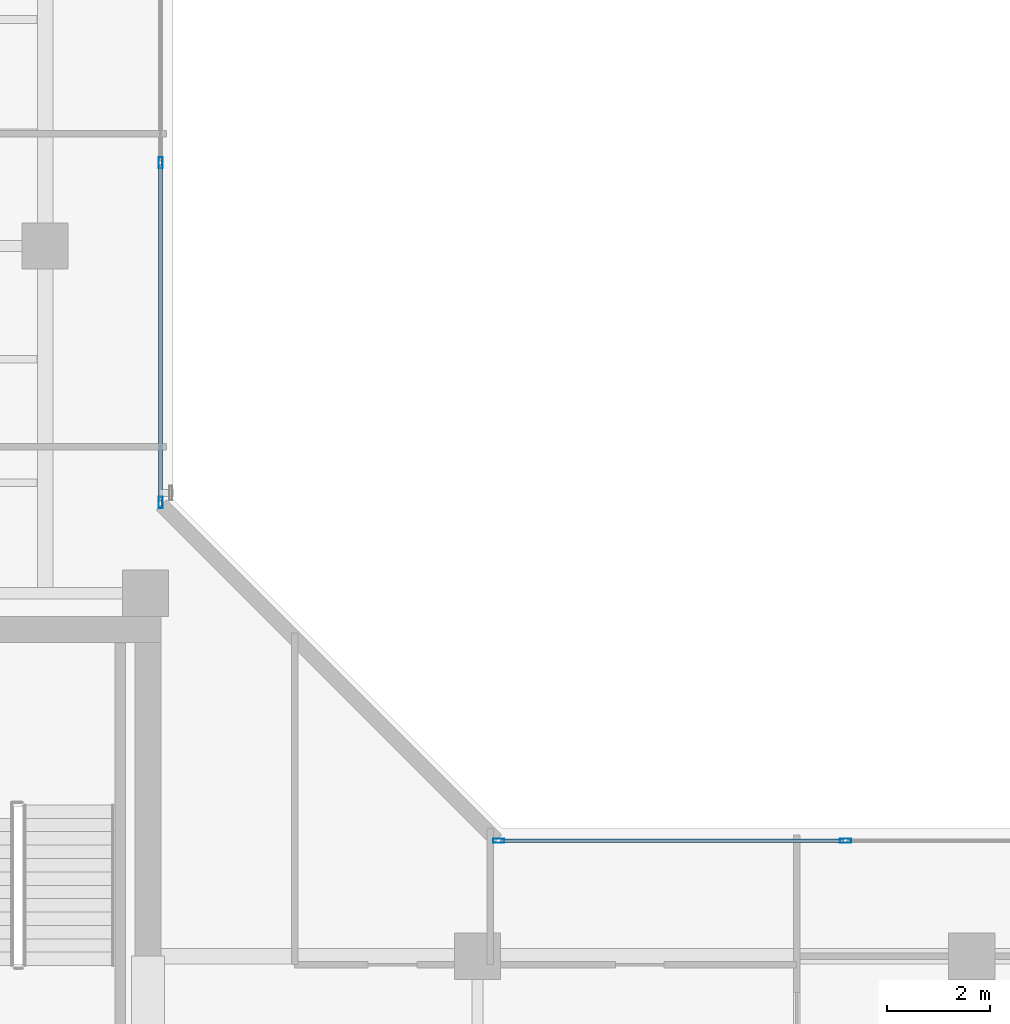
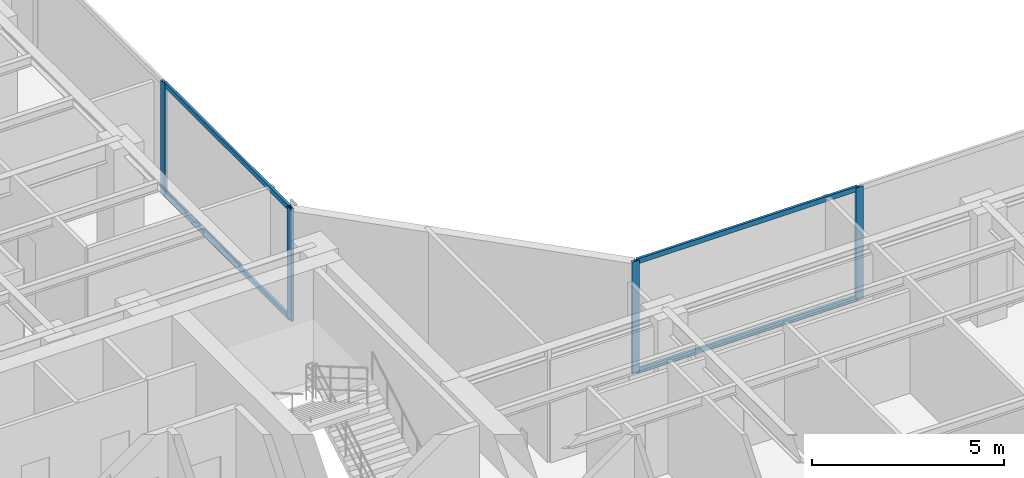
# One storey, part 9 of 23: 8 members, 2 elements without a shape of their own.
"""IFC4 building model written with IfcOpenShell, lengths in metres."""

from ifc_helpers import new_model, si_unit, direction, frame, origin, origin_with_axes, origin_2d, place, context, subcontext, project, spatial, hollow_rectangle, extrude, source, transform, mapped, material, layer, layer_set, material_profile, profile_set, type_object, element, aggregate, save


model = new_model("IFC4")

# Units and contexts
model_context = context("Model", 3, precision=1e-05, world=origin(), true_north=direction((0.0, 1.0)))
body_context = subcontext(model_context, "Body", "Model", "MODEL_VIEW")
ifc_project = project(units=[si_unit("LENGTHUNIT", "METRE"), si_unit("AREAUNIT", "SQUARE_METRE"), si_unit("VOLUMEUNIT", "CUBIC_METRE"), si_unit("PLANEANGLEUNIT", "RADIAN"), si_unit("MASSUNIT", "GRAM", prefix="KILO")], contexts=[model_context])

# Site, building, storey
site_placement = place(None, origin())
site = spatial("IfcSite", under=ifc_project, at=site_placement, CompositionType="ELEMENT")
building_placement = place(site_placement, origin())
building = spatial("IfcBuilding", under=site, at=building_placement, Name="Kolvaren Waterfront Exchange", CompositionType="ELEMENT")
storey_placement = place(building_placement, frame((0.0, 0.0, 304.60009765625)))
storey = spatial("IfcBuildingStorey", under=building, at=storey_placement, Name="L78", CompositionType="ELEMENT", Elevation=304.60009765625)

# Curtain wall, members
ifc_material_1 = material(Name="Anodised bronze aluminium 6063-T6", Category="aluminium")
ifc_layer = layer(ifc_material_1, 0.219970703125, Name="Anodised bronze aluminium 6063-T6")
ifc_layer_set = layer_set([ifc_layer], Name="Anodised bronze aluminium 6063-T6")
curtain_wall_type = type_object("IfcCurtainWallType", Name="ARC-CW-SYS1", PredefinedType="USERDEFINED", material=ifc_layer_set)
curtain_wall_1_placement = place(storey_placement, origin())
curtain_wall_1 = element("IfcCurtainWall", 1, at=curtain_wall_1_placement, inside=storey, type_object=curtain_wall_type, Name="L78 stick curtain wall CW1 (CW-L78-NE)", ObjectType="STICK CURTAIN WALL", PredefinedType="USERDEFINED")
ifc_material_2 = material(Name="Anodised aluminium 6063-T6", Category="aluminium")
ifc_material_profile_1 = material_profile(ifc_material_2, hollow_rectangle(XDim=0.080078125, YDim=0.219970703125, WallThickness=0.0048828125, at=origin_2d()), Name="ALU-MUL-220x80x5")
ifc_profile_set_1 = profile_set([ifc_material_profile_1], Name="Anodised aluminium 6063-T6")
member_type_1 = type_object("IfcMemberType", Name="ARC-CWM-220", PredefinedType="MULLION", material=ifc_profile_set_1)
shared_shape_1 = source(origin_with_axes(), body_context, "Body", "SweptSolid", [
    extrude(hollow_rectangle(XDim=0.080078125, YDim=0.219970703125, WallThickness=0.0048828125, at=origin_2d()), origin(), (0.0, 0.0, 1.0), 3.559814453125),
])
member_1_placement = place(storey_placement, frame((21.044189453125, 26.214111328125, 0.0), z_axis=(0.0, 0.0, 1.0), x_axis=(-1.0, 0.0, 0.0)))
member_1 = element("IfcMember", 2, at=member_1_placement, type_object=member_type_1, Name="CW1 mullion 1", PredefinedType="MULLION", context=body_context, shape_type="MappedRepresentation", body=[
    mapped(shared_shape_1, transform((0.0, 0.0, 0.0), x_axis=(1.0, 0.0, 0.0), y_axis=(0.0, 1.0, 0.0), z_axis=(0.0, 0.0, 1.0), scale=1.0)),
])
member_2_placement = place(storey_placement, frame((21.044189453125, 32.814453125, 0.0), z_axis=(0.0, 0.0, 1.0), x_axis=(-1.0, 0.0, 0.0)))
member_2 = element("IfcMember", 3, at=member_2_placement, type_object=member_type_1, Name="CW1 mullion 2", PredefinedType="MULLION", context=body_context, shape_type="MappedRepresentation", body=[
    mapped(shared_shape_1, transform((0.0, 0.0, 0.0), x_axis=(1.0, 0.0, 0.0), y_axis=(0.0, 1.0, 0.0), z_axis=(0.0, 0.0, 1.0), scale=1.0)),
])

curtain_wall_2_placement = place(storey_placement, origin())
curtain_wall_2 = element("IfcCurtainWall", 4, at=curtain_wall_2_placement, inside=storey, type_object=curtain_wall_type, Name="L78 stick curtain wall CW1 (CW-L78-EN)", ObjectType="STICK CURTAIN WALL", PredefinedType="USERDEFINED")
member_3_placement = place(storey_placement, frame((27.6142578125, 19.644287109375, 0.0), z_axis=(0.0, 0.0, 1.0), x_axis=(0.0, 1.0, 0.0)))
member_3 = element("IfcMember", 5, at=member_3_placement, type_object=member_type_1, Name="CW1 mullion 1", PredefinedType="MULLION", context=body_context, shape_type="MappedRepresentation", body=[
    mapped(shared_shape_1, transform((0.0, 0.0, 0.0), x_axis=(1.0, 0.0, 0.0), y_axis=(0.0, 1.0, 0.0), z_axis=(0.0, 0.0, 1.0), scale=1.0)),
])
member_4_placement = place(storey_placement, frame((34.34765625, 19.644287109375, 0.0), z_axis=(0.0, 0.0, 1.0), x_axis=(0.0, 1.0, 0.0)))
member_4 = element("IfcMember", 6, at=member_4_placement, type_object=member_type_1, Name="CW1 mullion 2", PredefinedType="MULLION", context=body_context, shape_type="MappedRepresentation", body=[
    mapped(shared_shape_1, transform((0.0, 0.0, 0.0), x_axis=(1.0, 0.0, 0.0), y_axis=(0.0, 1.0, 0.0), z_axis=(0.0, 0.0, 1.0), scale=1.0)),
])

# Member
ifc_material_profile_2 = material_profile(ifc_material_2, hollow_rectangle(XDim=0.074951171875, YDim=0.159912109375, WallThickness=0.00439453125, at=origin_2d()), Name="ALU-TRN-160x75x4.5")
ifc_profile_set_2 = profile_set([ifc_material_profile_2], Name="Anodised aluminium 6063-T6")
member_type_2 = type_object("IfcMemberType", Name="ARC-CWT-160", PredefinedType="USERDEFINED", material=ifc_profile_set_2)
shared_shape_2 = source(origin_with_axes(), body_context, "Body", "SweptSolid", [
    extrude(hollow_rectangle(XDim=0.074951171875, YDim=0.159912109375, WallThickness=0.00439453125, at=origin_2d()), origin(), (0.0, 0.0, 1.0), 6.520263671875),
])
member_5_placement = place(storey_placement, frame((21.044189453125, 26.254150390625, 0.037353515625), z_axis=(0.0, 1.0, 0.0), x_axis=(-1.0, 0.0, 0.0)))
member_5 = element("IfcMember", 7, at=member_5_placement, type_object=member_type_2, Name="CW1 transom 1.1", ObjectType="TRANSOM", PredefinedType="USERDEFINED", context=body_context, shape_type="MappedRepresentation", body=[
    mapped(shared_shape_2, transform((0.0, 0.0, 0.0), x_axis=(1.0, 0.0, 0.0), y_axis=(0.0, 1.0, 0.0), z_axis=(0.0, 0.0, 1.0), scale=1.0)),
])

member_6_placement = place(storey_placement, frame((21.044189453125, 26.254150390625, 3.5224609375), z_axis=(0.0, 1.0, 0.0), x_axis=(-1.0, 0.0, 0.0)))
member_6 = element("IfcMember", 8, at=member_6_placement, type_object=member_type_2, Name="CW1 transom 1.2", ObjectType="TRANSOM", PredefinedType="USERDEFINED", context=body_context, shape_type="MappedRepresentation", body=[
    mapped(shared_shape_2, transform((0.0, 0.0, 0.0), x_axis=(1.0, 0.0, 0.0), y_axis=(0.0, 1.0, 0.0), z_axis=(0.0, 0.0, 1.0), scale=1.0)),
])

aggregate(curtain_wall_1, [member_1, member_2, member_5, member_6])

shared_shape_3 = source(origin_with_axes(), body_context, "Body", "SweptSolid", [
    extrude(hollow_rectangle(XDim=0.074951171875, YDim=0.159912109375, WallThickness=0.00439453125, at=origin_2d()), origin(), (0.0, 0.0, 1.0), 6.6533203125),
])
member_7_placement = place(storey_placement, frame((27.654296875, 19.644287109375, 0.037353515625), z_axis=(1.0, 0.0, 0.0), x_axis=(0.0, 1.0, 0.0)))
member_7 = element("IfcMember", 9, at=member_7_placement, type_object=member_type_2, Name="CW1 transom 1.1", ObjectType="TRANSOM", PredefinedType="USERDEFINED", context=body_context, shape_type="MappedRepresentation", body=[
    mapped(shared_shape_3, transform((0.0, 0.0, 0.0), x_axis=(1.0, 0.0, 0.0), y_axis=(0.0, 1.0, 0.0), z_axis=(0.0, 0.0, 1.0), scale=1.0)),
])

member_8_placement = place(storey_placement, frame((27.654296875, 19.644287109375, 3.5224609375), z_axis=(1.0, 0.0, 0.0), x_axis=(0.0, 1.0, 0.0)))
member_8 = element("IfcMember", 10, at=member_8_placement, type_object=member_type_2, Name="CW1 transom 1.2", ObjectType="TRANSOM", PredefinedType="USERDEFINED", context=body_context, shape_type="MappedRepresentation", body=[
    mapped(shared_shape_3, transform((0.0, 0.0, 0.0), x_axis=(1.0, 0.0, 0.0), y_axis=(0.0, 1.0, 0.0), z_axis=(0.0, 0.0, 1.0), scale=1.0)),
])

aggregate(curtain_wall_2, [member_3, member_4, member_7, member_8])

save(model, "model.ifc")
